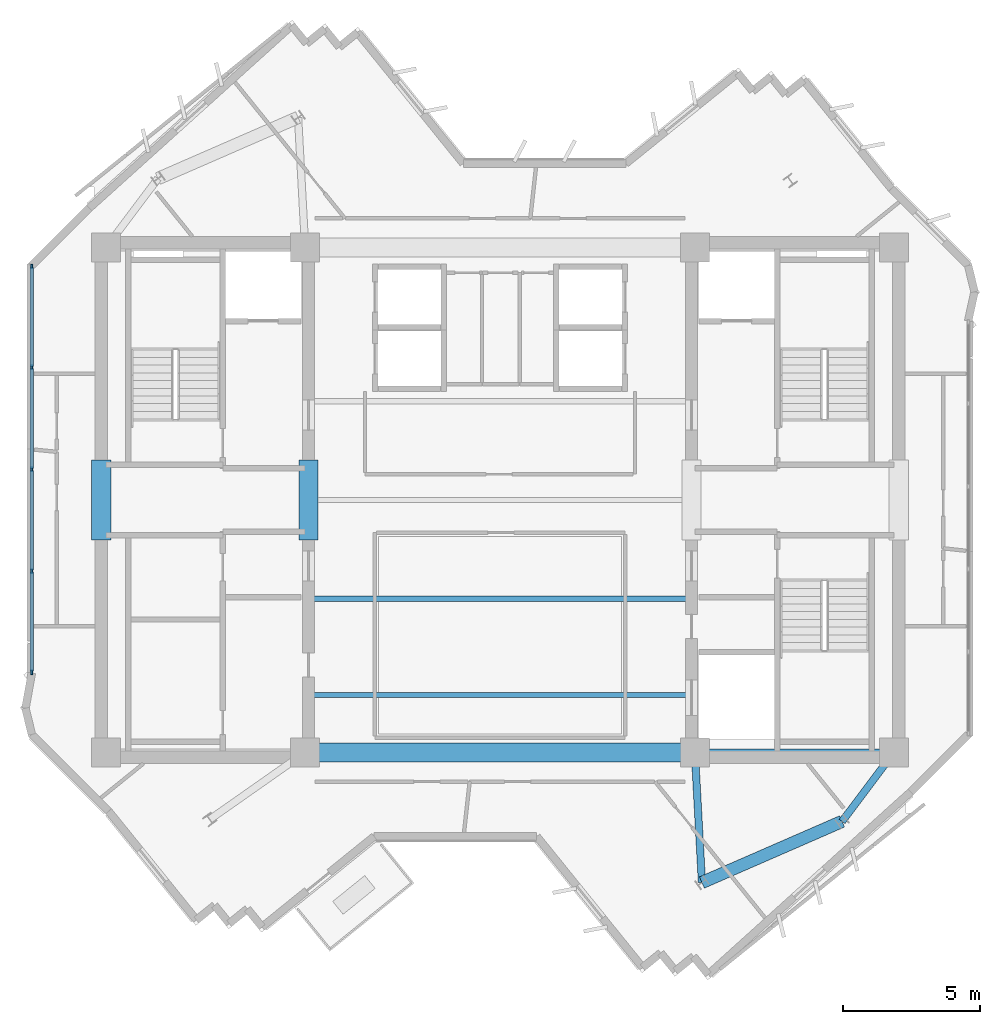
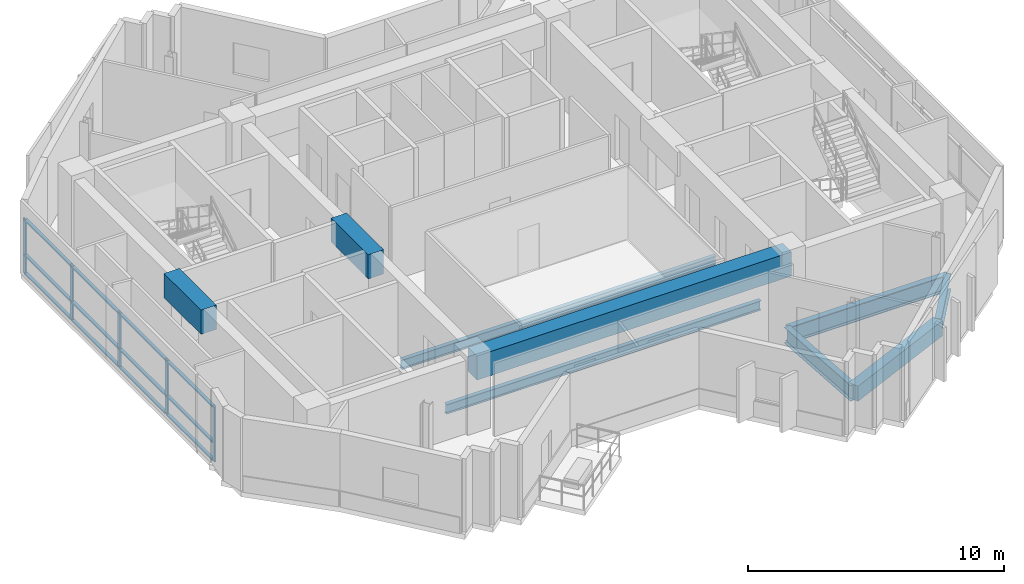
# One storey, part 2 of 11: 17 members, 9 beams, 1 element without a shape of its own.
"""IFC4 building model written with IfcOpenShell, lengths in metres."""

from ifc_helpers import new_model, si_unit, direction, frame, origin, origin_2d, place, context, subcontext, project, spatial, rectangle, i_section, extrude, source, transform, mapped, material, layer, layer_set, material_profile, profile_set, type_object, element, aggregate, save


model = new_model("IFC4")

# Units and contexts
model_context = context("Model", 3, precision=1e-05, world=origin(), true_north=direction((0.0, 1.0)))
body_context = subcontext(model_context, "Body", "Model", "MODEL_VIEW")
ifc_project = project(units=[si_unit("LENGTHUNIT", "METRE"), si_unit("AREAUNIT", "SQUARE_METRE"), si_unit("VOLUMEUNIT", "CUBIC_METRE"), si_unit("PLANEANGLEUNIT", "RADIAN"), si_unit("MASSUNIT", "GRAM", prefix="KILO")], contexts=[model_context])

# Site, building, storey
site_placement = place(None, origin())
site = spatial("IfcSite", under=ifc_project, at=site_placement, CompositionType="ELEMENT")
building_placement = place(site_placement, origin())
building = spatial("IfcBuilding", under=site, at=building_placement, Name="Zahravan Cultural Tower", CompositionType="ELEMENT")
storey_placement = place(building_placement, frame((0.0, 0.0, 287.85009765625)))
storey = spatial("IfcBuildingStorey", under=building, at=storey_placement, Name="L69", CompositionType="ELEMENT", Elevation=287.85009765625)

# Beams
ifc_material_1 = material(Name="Concrete C50/60", Category="concrete")
ifc_material_profile_1 = material_profile(ifc_material_1, rectangle(XDim=0.699951171875, YDim=1.14990234375, at=origin_2d()), Name="RC700X1150")
ifc_profile_set_1 = profile_set([ifc_material_profile_1], Name="Concrete C50/60")
beam_type_1 = type_object("IfcBeamType", Name="BM-LN-RC700X1150", PredefinedType="LINTEL", material=ifc_profile_set_1)
shared_shape_1 = source(origin(), body_context, "Body", "SweptSolid", [
    extrude(rectangle(XDim=0.699951171875, YDim=1.14990234375, at=origin_2d()), origin(), (0.0, 0.0, 1.0), 14.2001953125),
])
beam_1_placement = place(storey_placement, frame((28.89990234375, 17.800048828125, 2.9248046875), z_axis=(1.0, 0.0, 0.0), x_axis=(0.0, 1.0, 0.0)))
element("IfcBeam", 1, at=beam_1_placement, inside=storey, type_object=beam_type_1, Name="L69 Beam LN-L69-S", PredefinedType="LINTEL", context=body_context, shape_type="MappedRepresentation", body=[
    mapped(shared_shape_1, transform((0.0, 0.0, 0.0), x_axis=(1.0, 0.0, 0.0), y_axis=(0.0, 1.0, 0.0), z_axis=(0.0, 0.0, 1.0), scale=1.0)),
])
shared_shape_2 = source(origin(), body_context, "Body", "SweptSolid", [
    extrude(rectangle(XDim=0.699951171875, YDim=1.14990234375, at=origin_2d()), origin(), (0.0, 0.0, 1.0), 2.89990234375),
])
for number, where, z_axis, x_axis, name in (
    (2, (21.47509765625, 25.550048828125, 2.9248046875), (0.0, 1.0, 0.0), (-1.0, 0.0, 0.0), "L69 Beam LN-L69-PWW"),
    (3, (29.02490234375, 25.550048828125, 2.9248046875), (0.0, 1.0, 0.0), (-1.0, 0.0, 0.0), "L69 Beam LN-L69-PWE"),
):
    element("IfcBeam", number, at=place(storey_placement, frame(where, z_axis=z_axis, x_axis=x_axis)), inside=storey, type_object=beam_type_1, Name=name, PredefinedType="LINTEL", context=body_context, shape_type="MappedRepresentation", body=[
        mapped(shared_shape_2, transform((0.0, 0.0, 0.0), x_axis=(1.0, 0.0, 0.0), y_axis=(0.0, 1.0, 0.0), z_axis=(0.0, 0.0, 1.0), scale=1.0)),
    ])
ifc_material_2 = material(Name="Steel ASTM A992 Grade 50", Category="steel")
ifc_material_profile_2 = material_profile(ifc_material_2, i_section(OverallWidth=0.26611328125, OverallDepth=0.780029296875, WebThickness=0.0166015625, FlangeThickness=0.030029296875, FilletRadius=0.01904296875, at=origin_2d()), Name="W30X148")
ifc_profile_set_2 = profile_set([ifc_material_profile_2], Name="Steel ASTM A992 Grade 50")
beam_type_2 = type_object("IfcBeamType", Name="BM-G-W30X148", PredefinedType="BEAM", material=ifc_profile_set_2)
shared_shape_3 = source(origin(), body_context, "Body", "SweptSolid", [
    extrude(i_section(OverallWidth=0.26611328125, OverallDepth=0.780029296875, WebThickness=0.0166015625, FlangeThickness=0.030029296875, FilletRadius=0.01904296875, at=origin_2d()), origin(), (0.0, 0.0, 1.0), 7.25),
])
beam_2_placement = place(storey_placement, frame((43.10009765625, 17.800048828125, -0.64013671875), z_axis=(1.0, 0.0, 0.0), x_axis=(0.0, 1.0, 0.0)))
element("IfcBeam", 4, at=beam_2_placement, inside=storey, type_object=beam_type_2, Name="L69 Beam BG-L69-04", PredefinedType="BEAM", context=body_context, shape_type="MappedRepresentation", body=[
    mapped(shared_shape_3, transform((0.0, 0.0, 0.0), x_axis=(1.0, 0.0, 0.0), y_axis=(0.0, 1.0, 0.0), z_axis=(0.0, 0.0, 1.0), scale=1.0)),
])
ifc_material_profile_3 = material_profile(ifc_material_2, i_section(OverallWidth=0.26708984375, OverallDepth=0.761962890625, WebThickness=0.014404296875, FlangeThickness=0.021484375, FilletRadius=0.01904296875, at=origin_2d()), Name="W30X116")
ifc_profile_set_3 = profile_set([ifc_material_profile_3], Name="Steel ASTM A992 Grade 50")
beam_type_3 = type_object("IfcBeamType", Name="BM-G-W30X116", PredefinedType="BEAM", material=ifc_profile_set_3)
shared_shape_4 = source(origin(), body_context, "Body", "SweptSolid", [
    extrude(i_section(OverallWidth=0.26708984375, OverallDepth=0.761962890625, WebThickness=0.014404296875, FlangeThickness=0.021484375, FilletRadius=0.01904296875, at=origin_2d()), origin(), (0.0, 0.0, 1.0), 4.744384765625),
])
beam_3_placement = place(storey_placement, frame((43.10009765625, 17.800048828125, -0.631103515625), z_axis=(0.054238739845, -0.998527996152, 0.0), x_axis=(0.998527996152, 0.054238739845, 0.0)))
element("IfcBeam", 5, at=beam_3_placement, inside=storey, type_object=beam_type_3, Name="L69 Beam BG-L69-08", PredefinedType="BEAM", context=body_context, shape_type="MappedRepresentation", body=[
    mapped(shared_shape_4, transform((0.0, 0.0, 0.0), x_axis=(1.0, 0.0, 0.0), y_axis=(0.0, 1.0, 0.0), z_axis=(0.0, 0.0, 1.0), scale=1.0)),
])
shared_shape_5 = source(origin(), body_context, "Body", "SweptSolid", [
    extrude(i_section(OverallWidth=0.26708984375, OverallDepth=0.761962890625, WebThickness=0.014404296875, FlangeThickness=0.021484375, FilletRadius=0.01904296875, at=origin_2d()), origin(), (0.0, 0.0, 1.0), 3.140380859375),
])
beam_4_placement = place(storey_placement, frame((50.35009765625, 17.800048828125, -0.631103515625), z_axis=(-0.600696322208, -0.799477284534, 0.0), x_axis=(0.799477284534, -0.600696322208, 0.0)))
element("IfcBeam", 6, at=beam_4_placement, inside=storey, type_object=beam_type_3, Name="L69 Beam BG-L69-09", PredefinedType="BEAM", context=body_context, shape_type="MappedRepresentation", body=[
    mapped(shared_shape_5, transform((0.0, 0.0, 0.0), x_axis=(1.0, 0.0, 0.0), y_axis=(0.0, 1.0, 0.0), z_axis=(0.0, 0.0, 1.0), scale=1.0)),
])
ifc_material_3 = material(Name="Concrete C45/55", Category="concrete")
ifc_material_profile_4 = material_profile(ifc_material_3, rectangle(XDim=0.449951171875, YDim=0.719970703125, at=origin_2d()), Name="RC450X720")
ifc_profile_set_4 = profile_set([ifc_material_profile_4], Name="Concrete C45/55")
beam_type_4 = type_object("IfcBeamType", Name="BM-SP-RC450X720", PredefinedType="SPANDREL", material=ifc_profile_set_4)
shared_shape_6 = source(origin(), body_context, "Body", "SweptSolid", [
    extrude(rectangle(XDim=0.449951171875, YDim=0.719970703125, at=origin_2d()), origin(), (0.0, 0.0, 1.0), 5.570556640625),
])
beam_5_placement = place(storey_placement, frame((43.357421875, 13.062744140625, -0.610107421875), z_axis=(0.9166445026, 0.399703459896, 0.0), x_axis=(-0.399703459896, 0.9166445026, 0.0)))
element("IfcBeam", 7, at=beam_5_placement, inside=storey, type_object=beam_type_4, Name="L69 Beam SP-L69-12", PredefinedType="SPANDREL", context=body_context, shape_type="MappedRepresentation", body=[
    mapped(shared_shape_6, transform((0.0, 0.0, 0.0), x_axis=(1.0, 0.0, 0.0), y_axis=(0.0, 1.0, 0.0), z_axis=(0.0, 0.0, 1.0), scale=1.0)),
])
ifc_material_profile_5 = material_profile(ifc_material_2, i_section(OverallWidth=0.18994140625, OverallDepth=0.45703125, WebThickness=0.009033203125, FlangeThickness=0.014404296875, FilletRadius=0.012939453125, at=origin_2d()), Name="W18X50")
ifc_profile_set_5 = profile_set([ifc_material_profile_5], Name="Steel ASTM A992 Grade 50")
beam_type_5 = type_object("IfcBeamType", Name="BM-J-W18X50", PredefinedType="JOIST", material=ifc_profile_set_5)
shared_shape_7 = source(origin(), body_context, "Body", "SweptSolid", [
    extrude(i_section(OverallWidth=0.18994140625, OverallDepth=0.45703125, WebThickness=0.009033203125, FlangeThickness=0.014404296875, FilletRadius=0.012939453125, at=origin_2d()), origin(), (0.0, 0.0, 1.0), 14.2001953125),
])
for number, where, z_axis, x_axis, name in (
    (8, (28.89990234375, 19.89990234375, -0.478515625), (1.0, 0.0, 0.0), (0.0, 1.0, 0.0), "L69 Beam BJ-L69-14"),
    (9, (28.89990234375, 23.39990234375, -0.478515625), (1.0, 0.0, 0.0), (0.0, 1.0, 0.0), "L69 Beam BJ-L69-15"),
):
    element("IfcBeam", number, at=place(storey_placement, frame(where, z_axis=z_axis, x_axis=x_axis)), inside=storey, type_object=beam_type_5, Name=name, PredefinedType="JOIST", context=body_context, shape_type="MappedRepresentation", body=[
        mapped(shared_shape_7, transform((0.0, 0.0, 0.0), x_axis=(1.0, 0.0, 0.0), y_axis=(0.0, 1.0, 0.0), z_axis=(0.0, 0.0, 1.0), scale=1.0)),
    ])

# Curtain wall, members
ifc_material_4 = material(Name="Anodised bronze-aluminium mullion", Category="aluminium")
ifc_layer = layer(ifc_material_4, 0.179931640625)
ifc_layer_set = layer_set([ifc_layer], Name="Anodised bronze-aluminium mullion")
curtain_wall_type = type_object("IfcCurtainWallType", Name="CW-SYS-3", PredefinedType="USERDEFINED", material=ifc_layer_set)
curtain_wall_placement = place(storey_placement, origin())
curtain_wall = element("IfcCurtainWall", 10, at=curtain_wall_placement, inside=storey, type_object=curtain_wall_type, Name="L69 Recessed Curtain Wall CW-3.1", ObjectType="RECESSED GLAZING", PredefinedType="USERDEFINED")
ifc_material_profile_6 = material_profile(ifc_material_4, rectangle(XDim=0.070068359375, YDim=0.179931640625, at=origin_2d()), Name="AL-M70X180")
ifc_profile_set_6 = profile_set([ifc_material_profile_6], Name="Anodised bronze-aluminium mullion")
member_type_1 = type_object("IfcMemberType", Name="CWM-CW-3", PredefinedType="MULLION", material=ifc_profile_set_6)
shared_shape_8 = source(origin(), body_context, "Body", "SweptSolid", [
    extrude(rectangle(XDim=0.070068359375, YDim=0.179931640625, at=origin_2d()), origin(), (0.0, 0.0, 1.0), 2.619873046875),
])
member_1_placement = place(storey_placement, frame((18.93994140625, 20.728515625, 0.0), z_axis=(0.0, 0.0, 1.0), x_axis=(-1.0, 0.0, 0.0)))
member_1 = element("IfcMember", 11, at=member_1_placement, type_object=member_type_1, Name="CW-3 mullion 1", PredefinedType="MULLION", context=body_context, shape_type="MappedRepresentation", body=[
    mapped(shared_shape_8, transform((0.0, 0.0, 0.0), x_axis=(1.0, 0.0, 0.0), y_axis=(0.0, 1.0, 0.0), z_axis=(0.0, 0.0, 1.0), scale=1.0)),
])
member_2_placement = place(storey_placement, frame((18.93994140625, 24.405517578125, 0.0), z_axis=(0.0, 0.0, 1.0), x_axis=(-1.0, 0.0, 0.0)))
member_2 = element("IfcMember", 12, at=member_2_placement, type_object=member_type_1, Name="CW-3 mullion 2", PredefinedType="MULLION", context=body_context, shape_type="MappedRepresentation", body=[
    mapped(shared_shape_8, transform((0.0, 0.0, 0.0), x_axis=(1.0, 0.0, 0.0), y_axis=(0.0, 1.0, 0.0), z_axis=(0.0, 0.0, 1.0), scale=1.0)),
])
member_3_placement = place(storey_placement, frame((18.93994140625, 28.11767578125, 0.0), z_axis=(0.0, 0.0, 1.0), x_axis=(-1.0, 0.0, 0.0)))
member_3 = element("IfcMember", 13, at=member_3_placement, type_object=member_type_1, Name="CW-3 mullion 3", PredefinedType="MULLION", context=body_context, shape_type="MappedRepresentation", body=[
    mapped(shared_shape_8, transform((0.0, 0.0, 0.0), x_axis=(1.0, 0.0, 0.0), y_axis=(0.0, 1.0, 0.0), z_axis=(0.0, 0.0, 1.0), scale=1.0)),
])
member_4_placement = place(storey_placement, frame((18.93994140625, 31.829833984375, 0.0), z_axis=(0.0, 0.0, 1.0), x_axis=(-1.0, 0.0, 0.0)))
member_4 = element("IfcMember", 14, at=member_4_placement, type_object=member_type_1, Name="CW-3 mullion 4", PredefinedType="MULLION", context=body_context, shape_type="MappedRepresentation", body=[
    mapped(shared_shape_8, transform((0.0, 0.0, 0.0), x_axis=(1.0, 0.0, 0.0), y_axis=(0.0, 1.0, 0.0), z_axis=(0.0, 0.0, 1.0), scale=1.0)),
])
member_5_placement = place(storey_placement, frame((18.93994140625, 35.507080078125, 0.0), z_axis=(0.0, 0.0, 1.0), x_axis=(-1.0, 0.0, 0.0)))
member_5 = element("IfcMember", 15, at=member_5_placement, type_object=member_type_1, Name="CW-3 mullion 5", PredefinedType="MULLION", context=body_context, shape_type="MappedRepresentation", body=[
    mapped(shared_shape_8, transform((0.0, 0.0, 0.0), x_axis=(1.0, 0.0, 0.0), y_axis=(0.0, 1.0, 0.0), z_axis=(0.0, 0.0, 1.0), scale=1.0)),
])
ifc_material_profile_7 = material_profile(ifc_material_4, rectangle(XDim=0.139892578125, YDim=0.070068359375, at=origin_2d()), Name="AL-T70X140")
ifc_profile_set_7 = profile_set([ifc_material_profile_7], Name="Anodised bronze-aluminium mullion")
member_type_2 = type_object("IfcMemberType", Name="CWT-CW-3", PredefinedType="USERDEFINED", material=ifc_profile_set_7)
shared_shape_9 = source(origin(), body_context, "Body", "SweptSolid", [
    extrude(rectangle(XDim=0.139892578125, YDim=0.070068359375, at=origin_2d()), origin(), (0.0, 0.0, 1.0), 3.607177734375),
])
member_6_placement = place(storey_placement, frame((18.93994140625, 20.763427734375, 0.034912109375), z_axis=(0.0, 1.0, 0.0), x_axis=(-1.0, 0.0, 0.0)))
member_6 = element("IfcMember", 16, at=member_6_placement, type_object=member_type_2, Name="CW-3 transom 1.1", ObjectType="TRANSOM", PredefinedType="USERDEFINED", context=body_context, shape_type="MappedRepresentation", body=[
    mapped(shared_shape_9, transform((0.0, 0.0, 0.0), x_axis=(1.0, 0.0, 0.0), y_axis=(0.0, 1.0, 0.0), z_axis=(0.0, 0.0, 1.0), scale=1.0)),
])
member_7_placement = place(storey_placement, frame((18.93994140625, 20.763427734375, 0.89990234375), z_axis=(0.0, 1.0, 0.0), x_axis=(-1.0, 0.0, 0.0)))
member_7 = element("IfcMember", 17, at=member_7_placement, type_object=member_type_2, Name="CW-3 transom 1.2", ObjectType="TRANSOM", PredefinedType="USERDEFINED", context=body_context, shape_type="MappedRepresentation", body=[
    mapped(shared_shape_9, transform((0.0, 0.0, 0.0), x_axis=(1.0, 0.0, 0.0), y_axis=(0.0, 1.0, 0.0), z_axis=(0.0, 0.0, 1.0), scale=1.0)),
])
member_8_placement = place(storey_placement, frame((18.93994140625, 20.763427734375, 2.5849609375), z_axis=(0.0, 1.0, 0.0), x_axis=(-1.0, 0.0, 0.0)))
member_8 = element("IfcMember", 18, at=member_8_placement, type_object=member_type_2, Name="CW-3 transom 1.3", ObjectType="TRANSOM", PredefinedType="USERDEFINED", context=body_context, shape_type="MappedRepresentation", body=[
    mapped(shared_shape_9, transform((0.0, 0.0, 0.0), x_axis=(1.0, 0.0, 0.0), y_axis=(0.0, 1.0, 0.0), z_axis=(0.0, 0.0, 1.0), scale=1.0)),
])
member_9_placement = place(storey_placement, frame((18.93994140625, 31.86474609375, 0.034912109375), z_axis=(0.0, 1.0, 0.0), x_axis=(-1.0, 0.0, 0.0)))
member_9 = element("IfcMember", 19, at=member_9_placement, type_object=member_type_2, Name="CW-3 transom 4.1", ObjectType="TRANSOM", PredefinedType="USERDEFINED", context=body_context, shape_type="MappedRepresentation", body=[
    mapped(shared_shape_9, transform((0.0, 0.0, 0.0), x_axis=(1.0, 0.0, 0.0), y_axis=(0.0, 1.0, 0.0), z_axis=(0.0, 0.0, 1.0), scale=1.0)),
])
member_10_placement = place(storey_placement, frame((18.93994140625, 31.86474609375, 0.89990234375), z_axis=(0.0, 1.0, 0.0), x_axis=(-1.0, 0.0, 0.0)))
member_10 = element("IfcMember", 20, at=member_10_placement, type_object=member_type_2, Name="CW-3 transom 4.2", ObjectType="TRANSOM", PredefinedType="USERDEFINED", context=body_context, shape_type="MappedRepresentation", body=[
    mapped(shared_shape_9, transform((0.0, 0.0, 0.0), x_axis=(1.0, 0.0, 0.0), y_axis=(0.0, 1.0, 0.0), z_axis=(0.0, 0.0, 1.0), scale=1.0)),
])
member_11_placement = place(storey_placement, frame((18.93994140625, 31.86474609375, 2.5849609375), z_axis=(0.0, 1.0, 0.0), x_axis=(-1.0, 0.0, 0.0)))
member_11 = element("IfcMember", 21, at=member_11_placement, type_object=member_type_2, Name="CW-3 transom 4.3", ObjectType="TRANSOM", PredefinedType="USERDEFINED", context=body_context, shape_type="MappedRepresentation", body=[
    mapped(shared_shape_9, transform((0.0, 0.0, 0.0), x_axis=(1.0, 0.0, 0.0), y_axis=(0.0, 1.0, 0.0), z_axis=(0.0, 0.0, 1.0), scale=1.0)),
])
shared_shape_10 = source(origin(), body_context, "Body", "SweptSolid", [
    extrude(rectangle(XDim=0.139892578125, YDim=0.070068359375, at=origin_2d()), origin(), (0.0, 0.0, 1.0), 3.642333984375),
])
member_12_placement = place(storey_placement, frame((18.93994140625, 24.4404296875, 0.034912109375), z_axis=(0.0, 1.0, 0.0), x_axis=(-1.0, 0.0, 0.0)))
member_12 = element("IfcMember", 22, at=member_12_placement, type_object=member_type_2, Name="CW-3 transom 2.1", ObjectType="TRANSOM", PredefinedType="USERDEFINED", context=body_context, shape_type="MappedRepresentation", body=[
    mapped(shared_shape_10, transform((0.0, 0.0, 0.0), x_axis=(1.0, 0.0, 0.0), y_axis=(0.0, 1.0, 0.0), z_axis=(0.0, 0.0, 1.0), scale=1.0)),
])
member_13_placement = place(storey_placement, frame((18.93994140625, 24.4404296875, 0.89990234375), z_axis=(0.0, 1.0, 0.0), x_axis=(-1.0, 0.0, 0.0)))
member_13 = element("IfcMember", 23, at=member_13_placement, type_object=member_type_2, Name="CW-3 transom 2.2", ObjectType="TRANSOM", PredefinedType="USERDEFINED", context=body_context, shape_type="MappedRepresentation", body=[
    mapped(shared_shape_10, transform((0.0, 0.0, 0.0), x_axis=(1.0, 0.0, 0.0), y_axis=(0.0, 1.0, 0.0), z_axis=(0.0, 0.0, 1.0), scale=1.0)),
])
member_14_placement = place(storey_placement, frame((18.93994140625, 24.4404296875, 2.5849609375), z_axis=(0.0, 1.0, 0.0), x_axis=(-1.0, 0.0, 0.0)))
member_14 = element("IfcMember", 24, at=member_14_placement, type_object=member_type_2, Name="CW-3 transom 2.3", ObjectType="TRANSOM", PredefinedType="USERDEFINED", context=body_context, shape_type="MappedRepresentation", body=[
    mapped(shared_shape_10, transform((0.0, 0.0, 0.0), x_axis=(1.0, 0.0, 0.0), y_axis=(0.0, 1.0, 0.0), z_axis=(0.0, 0.0, 1.0), scale=1.0)),
])
member_15_placement = place(storey_placement, frame((18.93994140625, 28.152587890625, 0.034912109375), z_axis=(0.0, 1.0, 0.0), x_axis=(-1.0, 0.0, 0.0)))
member_15 = element("IfcMember", 25, at=member_15_placement, type_object=member_type_2, Name="CW-3 transom 3.1", ObjectType="TRANSOM", PredefinedType="USERDEFINED", context=body_context, shape_type="MappedRepresentation", body=[
    mapped(shared_shape_10, transform((0.0, 0.0, 0.0), x_axis=(1.0, 0.0, 0.0), y_axis=(0.0, 1.0, 0.0), z_axis=(0.0, 0.0, 1.0), scale=1.0)),
])
member_16_placement = place(storey_placement, frame((18.93994140625, 28.152587890625, 0.89990234375), z_axis=(0.0, 1.0, 0.0), x_axis=(-1.0, 0.0, 0.0)))
member_16 = element("IfcMember", 26, at=member_16_placement, type_object=member_type_2, Name="CW-3 transom 3.2", ObjectType="TRANSOM", PredefinedType="USERDEFINED", context=body_context, shape_type="MappedRepresentation", body=[
    mapped(shared_shape_10, transform((0.0, 0.0, 0.0), x_axis=(1.0, 0.0, 0.0), y_axis=(0.0, 1.0, 0.0), z_axis=(0.0, 0.0, 1.0), scale=1.0)),
])
member_17_placement = place(storey_placement, frame((18.93994140625, 28.152587890625, 2.5849609375), z_axis=(0.0, 1.0, 0.0), x_axis=(-1.0, 0.0, 0.0)))
member_17 = element("IfcMember", 27, at=member_17_placement, type_object=member_type_2, Name="CW-3 transom 3.3", ObjectType="TRANSOM", PredefinedType="USERDEFINED", context=body_context, shape_type="MappedRepresentation", body=[
    mapped(shared_shape_10, transform((0.0, 0.0, 0.0), x_axis=(1.0, 0.0, 0.0), y_axis=(0.0, 1.0, 0.0), z_axis=(0.0, 0.0, 1.0), scale=1.0)),
])
aggregate(curtain_wall, [member_1, member_2, member_3, member_4, member_5, member_6, member_7, member_8, member_12, member_13, member_14, member_15, member_16, member_17, member_9, member_10, member_11])

save(model, "model.ifc")
